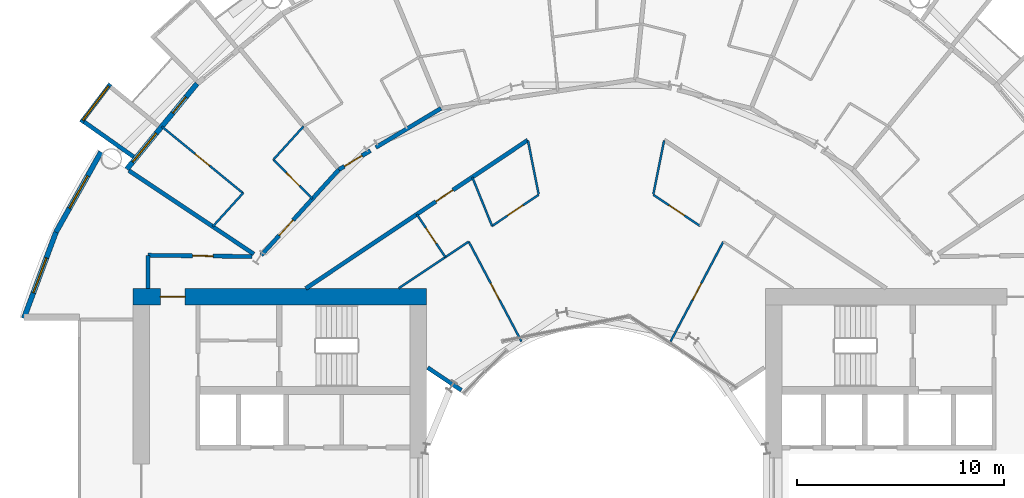
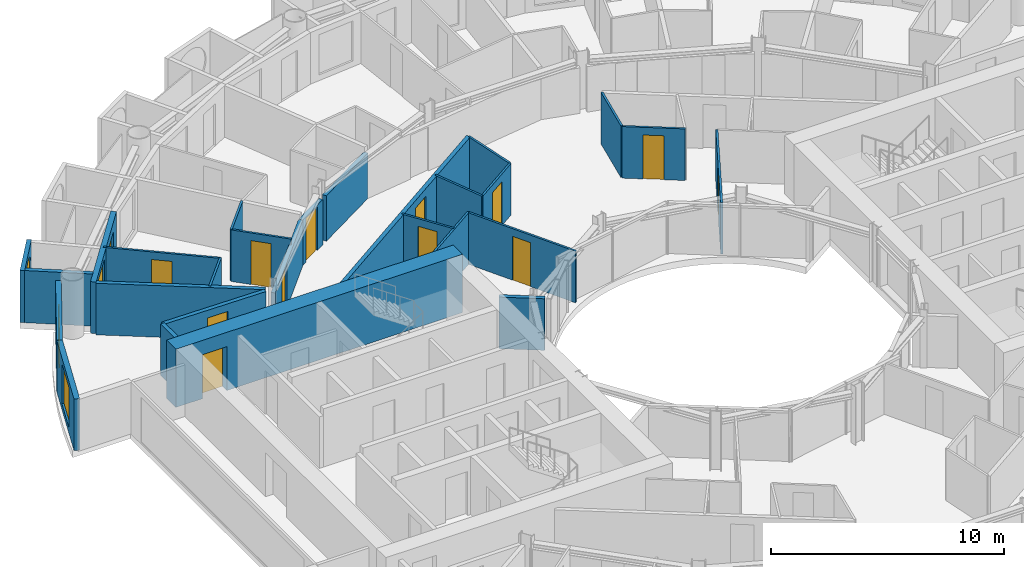
# One storey, part 18 of 26: 27 walls, 13 doors, 4 windows, 17 openings.
"""IFC4 building model written with IfcOpenShell, lengths in metres."""

from ifc_helpers import new_model, si_unit, direction, frame, frame_2d, origin, place, context, subcontext, project, spatial, rectangle, circle, extrude, material, layer, layer_set, type_object, element, fill, save


model = new_model("IFC4")

# Units and contexts
model_context = context("Model", 3, precision=1e-05, world=origin(), true_north=direction((0.0, 1.0)))
body_context = subcontext(model_context, "Body", "Model", "MODEL_VIEW")
ifc_project = project(units=[si_unit("LENGTHUNIT", "METRE"), si_unit("AREAUNIT", "SQUARE_METRE"), si_unit("VOLUMEUNIT", "CUBIC_METRE"), si_unit("PLANEANGLEUNIT", "RADIAN"), si_unit("MASSUNIT", "GRAM", prefix="KILO")], contexts=[model_context])

# Site, building, storey
site_placement = place(None, origin())
site = spatial("IfcSite", under=ifc_project, at=site_placement, CompositionType="ELEMENT")
building_placement = place(site_placement, origin())
building = spatial("IfcBuilding", under=site, at=building_placement, Name="Maasbend Ring Residences", CompositionType="ELEMENT")
storey_placement = place(building_placement, frame((0.0, 0.0, 31.949951171875)))
storey = spatial("IfcBuildingStorey", under=building, at=storey_placement, Name="L08", CompositionType="ELEMENT", Elevation=31.949951171875)

# Wall, opening, door
ifc_material_1 = material(Name="Concrete C70/85", Category="concrete")
ifc_layer_1 = layer(ifc_material_1, 0.800048828125)
ifc_layer_set_1 = layer_set([ifc_layer_1], Name="Concrete C70/85")
wall_type_1 = type_object("IfcWallType", Name="CORE WALL 800 C70/85", PredefinedType="SHEAR", material=ifc_layer_set_1)
wall_1_placement = place(storey_placement, frame((-8.199951171875, 9.0, 0.0), z_axis=(0.0, 0.0, 1.0), x_axis=(-1.0, 0.0, 0.0)))
wall_1 = element("IfcWall", 1, at=wall_1_placement, inside=storey, type_object=wall_type_1, Name="L08 core W wall PS", PredefinedType="SHEAR", context=body_context, shape_type="SweptSolid", body=[
    extrude(rectangle(XDim=14.199951171875, YDim=0.800048828125, at=frame_2d((7.10009765625, 0.0))), origin(), (0.0, 0.0, 1.0), 3.050048828125),
])
opening_1_placement = place(wall_1_placement, frame((11.675048828125, 0.0, 0.0)))
opening_1 = element("IfcOpeningElement", 2, at=opening_1_placement, cuts=wall_1, Name="Opening D-W0814", PredefinedType="OPENING", context=body_context, shape_type="SweptSolid", body=[
    extrude(rectangle(XDim=1.199951171875, YDim=2.300048828125, at=frame_2d((0.60009765625, 1.14990234375))), frame((0.0, 0.41015625, 0.0), z_axis=(0.0, -1.0, 0.0), x_axis=(1.0, 0.0, 0.0)), (0.0, 0.0, 1.0), 0.820068359375),
])
ifc_material_2 = material(Name="Steel, powder coated", Category="steel")
door_type_1 = type_object("IfcDoorType", Name="CORRIDOR DOOR 1200 X 2300 FD30S", OperationType="NOTDEFINED", PredefinedType="DOOR", material=ifc_material_2)
door_1_placement = place(opening_1_placement, origin())
door_1 = element("IfcDoor", 3, at=door_1_placement, inside=storey, type_object=door_type_1, Name="Corridor door L08", OperationType="SINGLE_SWING_LEFT", OverallHeight=2.300048828125, OverallWidth=1.199951171875, PredefinedType="DOOR", context=body_context, shape_type="SweptSolid", body=[
    extrude(rectangle(XDim=1.199951171875, YDim=2.300048828125, at=frame_2d((0.60009765625, 1.14990234375))), frame((0.0, 0.02490234375, 0.0), z_axis=(0.0, -1.0, 0.0), x_axis=(1.0, 0.0, 0.0)), (0.0, 0.0, 1.0), 0.050048828125),
])
fill(opening_1, door_1)

ifc_material_3 = material(Name="Concrete C30/37", Category="concrete")
ifc_layer_2 = layer(ifc_material_3, 0.199951171875)
ifc_layer_set_2 = layer_set([ifc_layer_2], Name="Concrete C30/37")
wall_type_2 = type_object("IfcWallType", Name="CORRIDOR WALL 200 CONCRETE", PredefinedType="PARTITIONING", material=ifc_layer_set_2)
wall_2_placement = place(storey_placement, frame((-21.675048828125, 11.0, 0.0), z_axis=(0.0, 0.0, 1.0), x_axis=(0.99992425795, -0.012307654658, 0.0)))
wall_2 = element("IfcWall", 4, at=wall_2_placement, inside=storey, type_object=wall_type_2, Name="U-L08-w078", PredefinedType="PARTITIONING", context=body_context, shape_type="SweptSolid", body=[
    extrude(rectangle(XDim=5.03857421875, YDim=0.199951171875, at=frame_2d((2.519287109375, 0.0))), origin(), (0.0, 0.0, 1.0), 2.699951171875),
])
opening_2_placement = place(wall_2_placement, frame((2.155029296875, 0.0, 0.0)))
opening_2 = element("IfcOpeningElement", 5, at=opening_2_placement, cuts=wall_2, Name="Opening D-0858", PredefinedType="OPENING", context=body_context, shape_type="SweptSolid", body=[
    extrude(rectangle(XDim=1.0, YDim=2.300048828125, at=frame_2d((0.5, 1.14990234375))), frame((0.0, 0.10986328125, 0.0), z_axis=(0.0, -1.0, 0.0), x_axis=(1.0, 0.0, 0.0)), (0.0, 0.0, 1.0), 0.219970703125),
])
ifc_material_4 = material(Name="Timber, painted", Category="wood")
door_type_2 = type_object("IfcDoorType", Name="ROOM DOOR 1000 X 2300", OperationType="NOTDEFINED", PredefinedType="DOOR", material=ifc_material_4)
door_2_placement = place(opening_2_placement, origin())
door_2 = element("IfcDoor", 6, at=door_2_placement, inside=storey, type_object=door_type_2, Name="D-0858", OperationType="SINGLE_SWING_RIGHT", OverallHeight=2.300048828125, OverallWidth=1.0, PredefinedType="DOOR", context=body_context, shape_type="SweptSolid", body=[
    extrude(rectangle(XDim=1.0, YDim=2.300048828125, at=frame_2d((0.5, 1.14990234375))), frame((0.0, 0.02490234375, 0.0), z_axis=(0.0, -1.0, 0.0), x_axis=(1.0, 0.0, 0.0)), (0.0, 0.0, 1.0), 0.050048828125),
])
fill(opening_2, door_2)

wall_3_placement = place(storey_placement, frame((-14.0390625, 9.39599609375, 0.0), z_axis=(0.0, 0.0, 1.0), x_axis=(0.831348689697, 0.555751163866, 0.0)))
wall_3 = element("IfcWall", 7, at=wall_3_placement, inside=storey, type_object=wall_type_2, Name="U-L08-w084", PredefinedType="PARTITIONING", context=body_context, shape_type="SweptSolid", body=[
    extrude(rectangle(XDim=12.9140625, YDim=0.199951171875, at=frame_2d((6.45703125, 0.0))), origin(), (0.0, 0.0, 1.0), 2.699951171875),
])
opening_3_placement = place(wall_3_placement, frame((7.568115234375, 0.0, 0.0)))
opening_3 = element("IfcOpeningElement", 8, at=opening_3_placement, cuts=wall_3, Name="Opening D-0825", PredefinedType="OPENING", context=body_context, shape_type="SweptSolid", body=[
    extrude(rectangle(XDim=1.0, YDim=2.300048828125, at=frame_2d((0.5, 1.14990234375))), frame((0.0, 0.10986328125, 0.0), z_axis=(0.0, -1.0, 0.0), x_axis=(1.0, 0.0, 0.0)), (0.0, 0.0, 1.0), 0.219970703125),
])
ifc_material_5 = material(Name="Timber, fire-rated, painted", Category="wood")
door_type_3 = type_object("IfcDoorType", Name="FLAT ENTRANCE DOOR 1000 X 2300 FIRE-RATED", OperationType="NOTDEFINED", PredefinedType="DOOR", material=ifc_material_5)
door_3_placement = place(opening_3_placement, origin())
door_3 = element("IfcDoor", 9, at=door_3_placement, inside=storey, type_object=door_type_3, Name="D-0825", OperationType="SINGLE_SWING_RIGHT", OverallHeight=2.300048828125, OverallWidth=1.0, PredefinedType="DOOR", context=body_context, shape_type="SweptSolid", body=[
    extrude(rectangle(XDim=1.0, YDim=2.300048828125, at=frame_2d((0.5, 1.14990234375))), frame((0.0, 0.02490234375, 0.0), z_axis=(0.0, -1.0, 0.0), x_axis=(1.0, 0.0, 0.0)), (0.0, 0.0, 1.0), 0.050048828125),
])
fill(opening_3, door_3)

wall_4_placement = place(storey_placement, frame((-16.193115234375, 11.0029296875, 0.0), z_axis=(0.0, 0.0, 1.0), x_axis=(0.671514934772, 0.740991020444, 0.0)))
wall_4 = element("IfcWall", 10, at=wall_4_placement, inside=storey, type_object=wall_type_2, Name="U-L08-w087", PredefinedType="PARTITIONING", context=body_context, shape_type="SweptSolid", body=[
    extrude(rectangle(XDim=5.597900390625, YDim=0.199951171875, at=frame_2d((2.798828125, 0.0))), origin(), (0.0, 0.0, 1.0), 2.380126953125),
])
opening_4_placement = place(wall_4_placement, frame((1.29296875, 0.0, 0.0)))
opening_4 = element("IfcOpeningElement", 11, at=opening_4_placement, cuts=wall_4, Name="Opening D-0818", PredefinedType="OPENING", context=body_context, shape_type="SweptSolid", body=[
    extrude(rectangle(XDim=1.0, YDim=2.300048828125, at=frame_2d((0.5, 1.14990234375))), frame((0.0, 0.10986328125, 0.0), z_axis=(0.0, -1.0, 0.0), x_axis=(1.0, 0.0, 0.0)), (0.0, 0.0, 1.0), 0.219970703125),
])
door_4_placement = place(opening_4_placement, origin())
door_4 = element("IfcDoor", 12, at=door_4_placement, inside=storey, type_object=door_type_3, Name="D-0818", OperationType="SINGLE_SWING_LEFT", OverallHeight=2.300048828125, OverallWidth=1.0, PredefinedType="DOOR", context=body_context, shape_type="SweptSolid", body=[
    extrude(rectangle(XDim=1.0, YDim=2.300048828125, at=frame_2d((0.5, 1.14990234375))), frame((0.0, 0.02490234375, 0.0), z_axis=(0.0, -1.0, 0.0), x_axis=(1.0, 0.0, 0.0)), (0.0, 0.0, 1.0), 0.050048828125),
])
fill(opening_4, door_4)

wall_5_placement = place(storey_placement, frame((-12.43896484375, 15.14599609375, 0.0), z_axis=(0.0, 0.0, 1.0), x_axis=(0.857323214505, 0.514778501757, 0.0)))
wall_5 = element("IfcWall", 13, at=wall_5_placement, inside=storey, type_object=wall_type_2, Name="U-L08-w088", PredefinedType="PARTITIONING", context=body_context, shape_type="SweptSolid", body=[
    extrude(rectangle(XDim=1.777587890625, YDim=0.199951171875, at=frame_2d((0.888671875, 0.0))), origin(), (0.0, 0.0, 1.0), 2.380126953125),
])
opening_5_placement = place(wall_5_placement, frame((0.306884765625, 0.0, 0.0)))
opening_5 = element("IfcOpeningElement", 14, at=opening_5_placement, cuts=wall_5, Name="Opening D-0815", PredefinedType="OPENING", context=body_context, shape_type="SweptSolid", body=[
    extrude(rectangle(XDim=1.0, YDim=2.300048828125, at=frame_2d((0.5, 1.14990234375))), frame((0.0, 0.10986328125, 0.0), z_axis=(0.0, -1.0, 0.0), x_axis=(1.0, 0.0, 0.0)), (0.0, 0.0, 1.0), 0.219970703125),
])
door_5_placement = place(opening_5_placement, origin())
door_5 = element("IfcDoor", 15, at=door_5_placement, inside=storey, type_object=door_type_3, Name="D-0815", OperationType="SINGLE_SWING_LEFT", OverallHeight=2.300048828125, OverallWidth=1.0, PredefinedType="DOOR", context=body_context, shape_type="SweptSolid", body=[
    extrude(rectangle(XDim=1.0, YDim=2.300048828125, at=frame_2d((0.5, 1.14990234375))), frame((0.0, 0.02490234375, 0.0), z_axis=(0.0, -1.0, 0.0), x_axis=(1.0, 0.0, 0.0)), (0.0, 0.0, 1.0), 0.050048828125),
])
fill(opening_5, door_5)

# Walls
wall_6_placement = place(storey_placement, frame((-10.653076171875, 16.218017578125, 0.0), z_axis=(0.0, 0.0, 1.0), x_axis=(0.857656999296, 0.514222200569, 0.0)))
element("IfcWall", 16, at=wall_6_placement, inside=storey, type_object=wall_type_2, Name="U-L08-w089", PredefinedType="PARTITIONING", context=body_context, shape_type="SweptSolid", body=[
    extrude(rectangle(XDim=3.67529296875, YDim=0.199951171875, at=frame_2d((1.837646484375, 0.0))), origin(), (0.0, 0.0, 1.0), 2.380126953125),
])
wall_7_placement = place(storey_placement, frame((-21.675048828125, 9.39990234375, 0.0), z_axis=(0.0, 0.0, 1.0), x_axis=(0.0, 1.0, 0.0)))
element("IfcWall", 17, at=wall_7_placement, inside=storey, type_object=wall_type_2, Name="U-L08-w098", PredefinedType="PARTITIONING", context=body_context, shape_type="SweptSolid", body=[
    extrude(rectangle(XDim=1.60009765625, YDim=0.199951171875, at=frame_2d((0.800048828125, 0.0))), origin(), (0.0, 0.0, 1.0), 2.699951171875),
])

# Wall, opening, window
ifc_material_6 = material(Name="Pale anodised aluminium panel", Category="aluminium")
ifc_layer_3 = layer(ifc_material_6, 0.199951171875)
ifc_layer_set_3 = layer_set([ifc_layer_3], Name="EW-BOX")
wall_type_3 = type_object("IfcWallType", Name="EW-BOX", PredefinedType="SOLIDWALL", material=ifc_layer_set_3)
wall_8_placement = place(storey_placement, frame((-23.4970703125, 19.2890625, -0.030029296875), z_axis=(0.0, 0.0, 1.0), x_axis=(-0.60418752353, -0.796842165306, 0.0)))
wall_8 = element("IfcWall", 18, at=wall_8_placement, inside=storey, type_object=wall_type_3, Name="Box front N20", PredefinedType="SOLIDWALL", context=body_context, shape_type="SweptSolid", body=[
    extrude(rectangle(XDim=2.3369140625, YDim=0.199951171875, at=frame_2d((1.16845703125, 0.0))), origin(), (0.0, 0.0, 1.0), 2.72998046875),
])
opening_6_placement = place(wall_8_placement, frame((0.128173828125, 0.0, 0.330078125)))
opening_6 = element("IfcOpeningElement", 19, at=opening_6_placement, cuts=wall_8, Name="Opening W-RD", PredefinedType="OPENING", context=body_context, shape_type="SweptSolid", body=[
    extrude(circle(Radius=1.0400390625, at=frame_2d((1.0400390625, 1.0400390625))), frame((0.0, 0.10986328125, 0.0), z_axis=(0.0, -1.0, 0.0), x_axis=(1.0, 0.0, 0.0)), (0.0, 0.0, 1.0), 0.219970703125),
])
ifc_material_7 = material(Name="Aluminium and clear glass", Category="aluminium")
window_type_1 = type_object("IfcWindowType", Name="W-RD", PartitioningType="SINGLE_PANEL", PredefinedType="WINDOW", material=ifc_material_7)
window_1_placement = place(opening_6_placement, origin())
window_1 = element("IfcWindow", 20, at=window_1_placement, inside=storey, type_object=window_type_1, Name="Round window N20", OverallHeight=2.080078125, OverallWidth=2.080078125, PartitioningType="SINGLE_PANEL", PredefinedType="WINDOW", context=body_context, shape_type="SweptSolid", body=[
    extrude(circle(Radius=1.0400390625, at=frame_2d((1.0400390625, 1.0400390625))), frame((0.0, 0.030029296875, 0.0), z_axis=(0.0, -1.0, 0.0), x_axis=(1.0, 0.0, 0.0)), (0.0, 0.0, 1.0), 0.06005859375),
])
fill(opening_6, window_1)

# Wall
wall_9_placement = place(storey_placement, frame((-22.3701171875, 15.764892578125, -0.030029296875), z_axis=(0.0, 0.0, 1.0), x_axis=(-0.817256123454, 0.576274612209, 0.0)))
element("IfcWall", 21, at=wall_9_placement, inside=storey, type_object=wall_type_3, Name="Box side wall N20 right", PredefinedType="SOLIDWALL", context=body_context, shape_type="SweptSolid", body=[
    extrude(rectangle(XDim=2.932861328125, YDim=0.199951171875, at=frame_2d((1.46630859375, 0.0))), origin(), (0.0, 0.0, 1.0), 2.72998046875),
])

# Wall, openings, door, window
ifc_material_8 = material(Name="Aluminium clad insulated panel", Category="aluminium")
ifc_layer_4 = layer(ifc_material_8, 0.25)
ifc_layer_set_4 = layer_set([ifc_layer_4], Name="EW-GL")
wall_type_4 = type_object("IfcWallType", Name="EW-GL", PredefinedType="SOLIDWALL", material=ifc_layer_set_4)
wall_10_placement = place(storey_placement, frame((-19.303955078125, 19.303955078125, 0.0), z_axis=(0.0, 0.0, 1.0), x_axis=(-0.634382322723, -0.773019449054, 0.0)))
wall_10 = element("IfcWall", 22, at=wall_10_placement, inside=storey, type_object=wall_type_4, Name="External wall N10", PredefinedType="SOLIDWALL", context=body_context, shape_type="SweptSolid", body=[
    extrude(rectangle(XDim=5.351806640625, YDim=0.25, at=frame_2d((2.67578125, 0.0))), origin(), (0.0, 0.0, 1.0), 2.699951171875),
])
opening_7_placement = place(wall_10_placement, frame((0.841064453125, 0.0, 0.0)))
opening_7 = element("IfcOpeningElement", 23, at=opening_7_placement, cuts=wall_10, Name="Opening D-LG", PredefinedType="OPENING", context=body_context, shape_type="SweptSolid", body=[
    extrude(rectangle(XDim=1.0, YDim=2.199951171875, at=frame_2d((0.5, 1.10009765625))), frame((0.0, 0.135009765625, 0.0), z_axis=(0.0, -1.0, 0.0), x_axis=(1.0, 0.0, 0.0)), (0.0, 0.0, 1.0), 0.27001953125),
])
opening_8_placement = place(wall_10_placement, frame((3.110595703125, 0.0, 0.300048828125)))
opening_8 = element("IfcOpeningElement", 24, at=opening_8_placement, cuts=wall_10, Name="Opening W-BX", PredefinedType="OPENING", context=body_context, shape_type="SweptSolid", body=[
    extrude(rectangle(XDim=1.800048828125, YDim=2.10009765625, at=frame_2d((0.89990234375, 1.050048828125))), frame((0.0, 0.135009765625, 0.0), z_axis=(0.0, -1.0, 0.0), x_axis=(1.0, 0.0, 0.0)), (0.0, 0.0, 1.0), 0.27001953125),
])
ifc_material_9 = material(Name="Aluminium and clear glass", Category="aluminium")
door_type_4 = type_object("IfcDoorType", Name="D-LG", OperationType="SINGLE_SWING_LEFT", PredefinedType="DOOR", material=ifc_material_9)
door_6_placement = place(opening_7_placement, origin())
door_6 = element("IfcDoor", 25, at=door_6_placement, inside=storey, type_object=door_type_4, Name="Loggia door N19", OperationType="SINGLE_SWING_LEFT", OverallHeight=2.199951171875, OverallWidth=1.0, PredefinedType="DOOR", context=body_context, shape_type="SweptSolid", body=[
    extrude(rectangle(XDim=1.0, YDim=2.199951171875, at=frame_2d((0.5, 1.10009765625))), frame((0.0, 0.02490234375, 0.0), z_axis=(0.0, -1.0, 0.0), x_axis=(1.0, 0.0, 0.0)), (0.0, 0.0, 1.0), 0.050048828125),
])
fill(opening_7, door_6)
ifc_material_10 = material(Name="Aluminium and clear glass", Category="aluminium")
window_type_2 = type_object("IfcWindowType", Name="W-BX", PartitioningType="DOUBLE_PANEL_VERTICAL", PredefinedType="WINDOW", material=ifc_material_10)
window_2_placement = place(opening_8_placement, origin())
window_2 = element("IfcWindow", 26, at=window_2_placement, inside=storey, type_object=window_type_2, Name="Window N20 room to box", OverallHeight=2.10009765625, OverallWidth=1.800048828125, PartitioningType="SINGLE_PANEL", PredefinedType="WINDOW", context=body_context, shape_type="SweptSolid", body=[
    extrude(rectangle(XDim=1.800048828125, YDim=2.10009765625, at=frame_2d((0.89990234375, 1.050048828125))), frame((0.0, 0.030029296875, 0.0), z_axis=(0.0, -1.0, 0.0), x_axis=(1.0, 0.0, 0.0)), (0.0, 0.0, 1.0), 0.06005859375),
])
fill(opening_8, window_2)

# Wall, opening, window
ifc_material_11 = material(Name="Aluminium clad insulated panel", Category="aluminium")
ifc_layer_5 = layer(ifc_material_11, 0.25)
ifc_layer_set_5 = layer_set([ifc_layer_5], Name="EW-HORN")
wall_type_5 = type_object("IfcWallType", Name="EW-HORN", PredefinedType="SOLIDWALL", material=ifc_layer_set_5)
wall_11_placement = place(storey_placement, frame((-23.946044921875, 16.0, 0.0), z_axis=(0.0, 0.0, 1.0), x_axis=(-0.489696356642, -0.871893042919, 0.0)))
wall_11 = element("IfcWall", 27, at=wall_11_placement, inside=storey, type_object=wall_type_5, Name="Horn wall 4.1", PredefinedType="SOLIDWALL", context=body_context, shape_type="SweptSolid", body=[
    extrude(rectangle(XDim=4.45361328125, YDim=0.25, at=frame_2d((2.226806640625, 0.0))), origin(), (0.0, 0.0, 1.0), 2.699951171875),
])
opening_9_placement = place(wall_11_placement, frame((1.32666015625, 0.0, 0.300048828125)))
opening_9 = element("IfcOpeningElement", 28, at=opening_9_placement, cuts=wall_11, Name="Opening W-BX", PredefinedType="OPENING", context=body_context, shape_type="SweptSolid", body=[
    extrude(rectangle(XDim=1.800048828125, YDim=2.10009765625, at=frame_2d((0.89990234375, 1.050048828125))), frame((0.0, 0.135009765625, 0.0), z_axis=(0.0, -1.0, 0.0), x_axis=(1.0, 0.0, 0.0)), (0.0, 0.0, 1.0), 0.27001953125),
])
window_3_placement = place(opening_9_placement, origin())
window_3 = element("IfcWindow", 29, at=window_3_placement, inside=storey, type_object=window_type_2, Name="Horn window 4.1", OverallHeight=2.10009765625, OverallWidth=1.800048828125, PartitioningType="SINGLE_PANEL", PredefinedType="WINDOW", context=body_context, shape_type="SweptSolid", body=[
    extrude(rectangle(XDim=1.800048828125, YDim=2.10009765625, at=frame_2d((0.89990234375, 1.050048828125))), frame((0.0, 0.030029296875, 0.0), z_axis=(0.0, -1.0, 0.0), x_axis=(1.0, 0.0, 0.0)), (0.0, 0.0, 1.0), 0.06005859375),
])
fill(opening_9, window_3)

wall_12_placement = place(storey_placement, frame((-26.126953125, 12.116943359375, 0.0), z_axis=(0.0, 0.0, 1.0), x_axis=(-0.349247811493, -0.937030397675, 0.0)))
wall_12 = element("IfcWall", 30, at=wall_12_placement, inside=storey, type_object=wall_type_5, Name="Horn wall 4.2", PredefinedType="SOLIDWALL", context=body_context, shape_type="SweptSolid", body=[
    extrude(rectangle(XDim=4.4521484375, YDim=0.25, at=frame_2d((2.22607421875, 0.0))), origin(), (0.0, 0.0, 1.0), 2.699951171875),
])
opening_10_placement = place(wall_12_placement, frame((1.32666015625, 0.0, 0.300048828125)))
opening_10 = element("IfcOpeningElement", 31, at=opening_10_placement, cuts=wall_12, Name="Opening W-BX", PredefinedType="OPENING", context=body_context, shape_type="SweptSolid", body=[
    extrude(rectangle(XDim=1.800048828125, YDim=2.10009765625, at=frame_2d((0.89990234375, 1.050048828125))), frame((0.0, 0.135009765625, 0.0), z_axis=(0.0, -1.0, 0.0), x_axis=(1.0, 0.0, 0.0)), (0.0, 0.0, 1.0), 0.27001953125),
])
window_4_placement = place(opening_10_placement, origin())
window_4 = element("IfcWindow", 32, at=window_4_placement, inside=storey, type_object=window_type_2, Name="Horn window 4.2", OverallHeight=2.10009765625, OverallWidth=1.800048828125, PartitioningType="SINGLE_PANEL", PredefinedType="WINDOW", context=body_context, shape_type="SweptSolid", body=[
    extrude(rectangle(XDim=1.800048828125, YDim=2.10009765625, at=frame_2d((0.89990234375, 1.050048828125))), frame((0.0, 0.030029296875, 0.0), z_axis=(0.0, -1.0, 0.0), x_axis=(1.0, 0.0, 0.0)), (0.0, 0.0, 1.0), 0.06005859375),
])
fill(opening_10, window_4)

# Wall, opening, door
ifc_material_12 = material(Name="Gypsum board on steel studs", Category="steel")
ifc_layer_6 = layer(ifc_material_12, 0.10009765625)
ifc_layer_set_6 = layer_set([ifc_layer_6], Name="PARTITION 100 GYPSUM")
wall_type_6 = type_object("IfcWallType", Name="PARTITION 100 GYPSUM", PredefinedType="PARTITIONING", material=ifc_layer_set_6)
wall_13_placement = place(storey_placement, frame((-21.011962890625, 17.23291015625, 0.0), z_axis=(0.0, 0.0, 1.0), x_axis=(0.77326214499, -0.634086472908, 0.0)))
wall_13 = element("IfcWall", 33, at=wall_13_placement, inside=storey, type_object=wall_type_6, Name="U-L08-w027", PredefinedType="PARTITIONING", context=body_context, shape_type="SweptSolid", body=[
    extrude(rectangle(XDim=5.0888671875, YDim=0.10009765625, at=frame_2d((2.54443359375, 0.0))), origin(), (0.0, 0.0, 1.0), 2.699951171875),
])
opening_11_placement = place(wall_13_placement, frame((2.093994140625, 0.0, 0.0)))
opening_11 = element("IfcOpeningElement", 34, at=opening_11_placement, cuts=wall_13, Name="Opening D-0820", PredefinedType="OPENING", context=body_context, shape_type="SweptSolid", body=[
    extrude(rectangle(XDim=0.89990234375, YDim=2.300048828125, at=frame_2d((0.449951171875, 1.14990234375))), frame((0.0, 0.06005859375, 0.0), z_axis=(0.0, -1.0, 0.0), x_axis=(1.0, 0.0, 0.0)), (0.0, 0.0, 1.0), 0.1201171875),
])
ifc_material_13 = material(Name="Timber, painted", Category="wood")
door_type_5 = type_object("IfcDoorType", Name="INTERNAL DOOR 900 X 2300", OperationType="NOTDEFINED", PredefinedType="DOOR", material=ifc_material_13)
door_7_placement = place(opening_11_placement, origin())
door_7 = element("IfcDoor", 35, at=door_7_placement, inside=storey, type_object=door_type_5, Name="D-0820", OperationType="SINGLE_SWING_RIGHT", OverallHeight=2.300048828125, OverallWidth=0.89990234375, PredefinedType="DOOR", context=body_context, shape_type="SweptSolid", body=[
    extrude(rectangle(XDim=0.89990234375, YDim=2.300048828125, at=frame_2d((0.449951171875, 1.14990234375))), frame((0.0, 0.02490234375, 0.0), z_axis=(0.0, -1.0, 0.0), x_axis=(1.0, 0.0, 0.0)), (0.0, 0.0, 1.0), 0.050048828125),
])
fill(opening_11, door_7)

wall_14_placement = place(storey_placement, frame((-15.612060546875, 15.6220703125, 0.0), z_axis=(0.0, 0.0, 1.0), x_axis=(0.706741540154, -0.707471833659, 0.0)))
wall_14 = element("IfcWall", 36, at=wall_14_placement, inside=storey, type_object=wall_type_6, Name="U-L08-w031", PredefinedType="PARTITIONING", context=body_context, shape_type="SweptSolid", body=[
    extrude(rectangle(XDim=2.67431640625, YDim=0.10009765625, at=frame_2d((1.337158203125, 0.0))), origin(), (0.0, 0.0, 1.0), 2.699951171875),
])
opening_12_placement = place(wall_14_placement, frame((0.886962890625, 0.0, 0.0)))
opening_12 = element("IfcOpeningElement", 37, at=opening_12_placement, cuts=wall_14, Name="Opening D-0819", PredefinedType="OPENING", context=body_context, shape_type="SweptSolid", body=[
    extrude(rectangle(XDim=0.89990234375, YDim=2.300048828125, at=frame_2d((0.449951171875, 1.14990234375))), frame((0.0, 0.06005859375, 0.0), z_axis=(0.0, -1.0, 0.0), x_axis=(1.0, 0.0, 0.0)), (0.0, 0.0, 1.0), 0.1201171875),
])
door_8_placement = place(opening_12_placement, origin())
door_8 = element("IfcDoor", 38, at=door_8_placement, inside=storey, type_object=door_type_5, Name="D-0819", OperationType="SINGLE_SWING_RIGHT", OverallHeight=2.300048828125, OverallWidth=0.89990234375, PredefinedType="DOOR", context=body_context, shape_type="SweptSolid", body=[
    extrude(rectangle(XDim=0.89990234375, YDim=2.300048828125, at=frame_2d((0.449951171875, 1.14990234375))), frame((0.0, 0.02490234375, 0.0), z_axis=(0.0, -1.0, 0.0), x_axis=(1.0, 0.0, 0.0)), (0.0, 0.0, 1.0), 0.050048828125),
])
fill(opening_12, door_8)

wall_15_placement = place(storey_placement, frame((-8.674072265625, 12.98193359375, 0.0), z_axis=(0.0, 0.0, 1.0), x_axis=(0.555355163998, -0.831613276602, 0.0)))
wall_15 = element("IfcWall", 39, at=wall_15_placement, inside=storey, type_object=wall_type_6, Name="U-L08-w039", PredefinedType="PARTITIONING", context=body_context, shape_type="SweptSolid", body=[
    extrude(rectangle(XDim=2.493896484375, YDim=0.10009765625, at=frame_2d((1.2470703125, 0.0))), origin(), (0.0, 0.0, 1.0), 2.699951171875),
])
opening_13_placement = place(wall_15_placement, frame((0.797119140625, 0.0, 0.0)))
opening_13 = element("IfcOpeningElement", 40, at=opening_13_placement, cuts=wall_15, Name="Opening D-0827", PredefinedType="OPENING", context=body_context, shape_type="SweptSolid", body=[
    extrude(rectangle(XDim=0.89990234375, YDim=2.300048828125, at=frame_2d((0.449951171875, 1.14990234375))), frame((0.0, 0.06005859375, 0.0), z_axis=(0.0, -1.0, 0.0), x_axis=(1.0, 0.0, 0.0)), (0.0, 0.0, 1.0), 0.1201171875),
])
door_9_placement = place(opening_13_placement, origin())
door_9 = element("IfcDoor", 41, at=door_9_placement, inside=storey, type_object=door_type_5, Name="D-0827", OperationType="SINGLE_SWING_RIGHT", OverallHeight=2.300048828125, OverallWidth=0.89990234375, PredefinedType="DOOR", context=body_context, shape_type="SweptSolid", body=[
    extrude(rectangle(XDim=0.89990234375, YDim=2.300048828125, at=frame_2d((0.449951171875, 1.14990234375))), frame((0.0, 0.02490234375, 0.0), z_axis=(0.0, -1.0, 0.0), x_axis=(1.0, 0.0, 0.0)), (0.0, 0.0, 1.0), 0.050048828125),
])
fill(opening_13, door_9)

wall_16_placement = place(storey_placement, frame((-6.159912109375, 11.6630859375, 0.0), z_axis=(0.0, 0.0, 1.0), x_axis=(0.466976820365, -0.884269556889, 0.0)))
wall_16 = element("IfcWall", 42, at=wall_16_placement, inside=storey, type_object=wall_type_6, Name="U-L08-w042", PredefinedType="PARTITIONING", context=body_context, shape_type="SweptSolid", body=[
    extrude(rectangle(XDim=5.46923828125, YDim=0.10009765625, at=frame_2d((2.734619140625, 0.0))), origin(), (0.0, 0.0, 1.0), 2.699951171875),
])
opening_14_placement = place(wall_16_placement, frame((2.284912109375, 0.0, 0.0)))
opening_14 = element("IfcOpeningElement", 43, at=opening_14_placement, cuts=wall_16, Name="Opening D-0828", PredefinedType="OPENING", context=body_context, shape_type="SweptSolid", body=[
    extrude(rectangle(XDim=0.89990234375, YDim=2.300048828125, at=frame_2d((0.449951171875, 1.14990234375))), frame((0.0, 0.06005859375, 0.0), z_axis=(0.0, -1.0, 0.0), x_axis=(1.0, 0.0, 0.0)), (0.0, 0.0, 1.0), 0.1201171875),
])
door_10_placement = place(opening_14_placement, origin())
door_10 = element("IfcDoor", 44, at=door_10_placement, inside=storey, type_object=door_type_5, Name="D-0828", OperationType="SINGLE_SWING_RIGHT", OverallHeight=2.300048828125, OverallWidth=0.89990234375, PredefinedType="DOOR", context=body_context, shape_type="SweptSolid", body=[
    extrude(rectangle(XDim=0.89990234375, YDim=2.300048828125, at=frame_2d((0.449951171875, 1.14990234375))), frame((0.0, 0.02490234375, 0.0), z_axis=(0.0, -1.0, 0.0), x_axis=(1.0, 0.0, 0.0)), (0.0, 0.0, 1.0), 0.050048828125),
])
fill(opening_14, door_10)

# Wall
wall_17_placement = place(storey_placement, frame((-5.986083984375, 14.779052734375, 0.0), z_axis=(0.0, 0.0, 1.0), x_axis=(0.375649498413, -0.926761811008, 0.0)))
element("IfcWall", 45, at=wall_17_placement, inside=storey, type_object=wall_type_6, Name="U-L08-w045", PredefinedType="PARTITIONING", context=body_context, shape_type="SweptSolid", body=[
    extrude(rectangle(XDim=2.547607421875, YDim=0.10009765625, at=frame_2d((1.27392578125, 0.0))), origin(), (0.0, 0.0, 1.0), 2.699951171875),
])

# Wall, opening, door
wall_18_placement = place(storey_placement, frame((3.60595703125, 6.826904296875, 0.0), z_axis=(0.0, 0.0, 1.0), x_axis=(0.466976820365, 0.884269556889, 0.0)))
wall_18 = element("IfcWall", 46, at=wall_18_placement, inside=storey, type_object=wall_type_6, Name="U-L08-w053", PredefinedType="PARTITIONING", context=body_context, shape_type="SweptSolid", body=[
    extrude(rectangle(XDim=5.46923828125, YDim=0.10009765625, at=frame_2d((2.734619140625, 0.0))), origin(), (0.0, 0.0, 1.0), 2.699951171875),
])
opening_15_placement = place(wall_18_placement, frame((2.283935546875, 0.0, 0.0)))
opening_15 = element("IfcOpeningElement", 47, at=opening_15_placement, cuts=wall_18, Name="Opening D-0824", PredefinedType="OPENING", context=body_context, shape_type="SweptSolid", body=[
    extrude(rectangle(XDim=0.89990234375, YDim=2.300048828125, at=frame_2d((0.449951171875, 1.14990234375))), frame((0.0, 0.06005859375, 0.0), z_axis=(0.0, -1.0, 0.0), x_axis=(1.0, 0.0, 0.0)), (0.0, 0.0, 1.0), 0.1201171875),
])
door_11_placement = place(opening_15_placement, origin())
door_11 = element("IfcDoor", 48, at=door_11_placement, inside=storey, type_object=door_type_5, Name="D-0824", OperationType="SINGLE_SWING_LEFT", OverallHeight=2.300048828125, OverallWidth=0.89990234375, PredefinedType="DOOR", context=body_context, shape_type="SweptSolid", body=[
    extrude(rectangle(XDim=0.89990234375, YDim=2.300048828125, at=frame_2d((0.449951171875, 1.14990234375))), frame((0.0, 0.02490234375, 0.0), z_axis=(0.0, -1.0, 0.0), x_axis=(1.0, 0.0, 0.0)), (0.0, 0.0, 1.0), 0.050048828125),
])
fill(opening_15, door_11)

# Wall
wall_19_placement = place(storey_placement, frame((-9.5458984375, 9.39990234375, 0.0), z_axis=(0.0, 0.0, 1.0), x_axis=(0.831459707426, 0.555585056429, 0.0)))
element("IfcWall", 49, at=wall_19_placement, inside=storey, type_object=wall_type_6, Name="U-L08-w080", PredefinedType="PARTITIONING", context=body_context, shape_type="SweptSolid", body=[
    extrude(rectangle(XDim=4.073486328125, YDim=0.10009765625, at=frame_2d((2.03662109375, 0.0))), origin(), (0.0, 0.0, 1.0), 2.699951171875),
])

# Wall, opening, door
wall_20_placement = place(storey_placement, frame((-5.030029296875, 12.4169921875, 0.0), z_axis=(0.0, 0.0, 1.0), x_axis=(0.831538390496, 0.555467285384, 0.0)))
wall_20 = element("IfcWall", 50, at=wall_20_placement, inside=storey, type_object=wall_type_6, Name="U-L08-w081", PredefinedType="PARTITIONING", context=body_context, shape_type="SweptSolid", body=[
    extrude(rectangle(XDim=2.716796875, YDim=0.10009765625, at=frame_2d((1.3583984375, 0.0))), origin(), (0.0, 0.0, 1.0), 2.699951171875),
])
opening_16_placement = place(wall_20_placement, frame((0.909912109375, 0.0, 0.0)))
opening_16 = element("IfcOpeningElement", 51, at=opening_16_placement, cuts=wall_20, Name="Opening D-0826", PredefinedType="OPENING", context=body_context, shape_type="SweptSolid", body=[
    extrude(rectangle(XDim=0.89990234375, YDim=2.300048828125, at=frame_2d((0.449951171875, 1.14990234375))), frame((0.0, 0.06005859375, 0.0), z_axis=(0.0, -1.0, 0.0), x_axis=(1.0, 0.0, 0.0)), (0.0, 0.0, 1.0), 0.1201171875),
])
door_12_placement = place(opening_16_placement, origin())
door_12 = element("IfcDoor", 52, at=door_12_placement, inside=storey, type_object=door_type_5, Name="D-0826", OperationType="SINGLE_SWING_RIGHT", OverallHeight=2.300048828125, OverallWidth=0.89990234375, PredefinedType="DOOR", context=body_context, shape_type="SweptSolid", body=[
    extrude(rectangle(XDim=0.89990234375, YDim=2.300048828125, at=frame_2d((0.449951171875, 1.14990234375))), frame((0.0, 0.02490234375, 0.0), z_axis=(0.0, -1.0, 0.0), x_axis=(1.0, 0.0, 0.0)), (0.0, 0.0, 1.0), 0.050048828125),
])
fill(opening_16, door_12)

wall_21_placement = place(storey_placement, frame((2.77099609375, 13.926025390625, 0.0), z_axis=(0.0, 0.0, 1.0), x_axis=(0.831538390496, -0.555467285384, 0.0)))
wall_21 = element("IfcWall", 53, at=wall_21_placement, inside=storey, type_object=wall_type_6, Name="U-L08-w082", PredefinedType="PARTITIONING", context=body_context, shape_type="SweptSolid", body=[
    extrude(rectangle(XDim=2.716796875, YDim=0.10009765625, at=frame_2d((1.3583984375, 0.0))), origin(), (0.0, 0.0, 1.0), 2.699951171875),
])
opening_17_placement = place(wall_21_placement, frame((0.906982421875, 0.0, 0.0)))
opening_17 = element("IfcOpeningElement", 54, at=opening_17_placement, cuts=wall_21, Name="Opening D-0822", PredefinedType="OPENING", context=body_context, shape_type="SweptSolid", body=[
    extrude(rectangle(XDim=0.89990234375, YDim=2.300048828125, at=frame_2d((0.449951171875, 1.14990234375))), frame((0.0, 0.06005859375, 0.0), z_axis=(0.0, -1.0, 0.0), x_axis=(1.0, 0.0, 0.0)), (0.0, 0.0, 1.0), 0.1201171875),
])
door_13_placement = place(opening_17_placement, origin())
door_13 = element("IfcDoor", 55, at=door_13_placement, inside=storey, type_object=door_type_5, Name="D-0822", OperationType="SINGLE_SWING_LEFT", OverallHeight=2.300048828125, OverallWidth=0.89990234375, PredefinedType="DOOR", context=body_context, shape_type="SweptSolid", body=[
    extrude(rectangle(XDim=0.89990234375, YDim=2.300048828125, at=frame_2d((0.449951171875, 1.14990234375))), frame((0.0, 0.02490234375, 0.0), z_axis=(0.0, -1.0, 0.0), x_axis=(1.0, 0.0, 0.0)), (0.0, 0.0, 1.0), 0.050048828125),
])
fill(opening_17, door_13)

# Walls
for number, where, z_axis, x_axis, name in (
    (56, (-18.5380859375, 12.39404296875, 0.0), (0.0, 0.0, 1.0), (0.67169789574, 0.740825172937, 0.0), "U-L08-w099"),
    (57, (-15.613037109375, 15.62109375, 0.0), (0.0, 0.0, 1.0), (0.67169789574, 0.740825172937, 0.0), "U-L08-w100"),
):
    element("IfcWall", number, at=place(storey_placement, frame(where, z_axis=z_axis, x_axis=x_axis)), inside=storey, type_object=wall_type_6, Name=name, PredefinedType="PARTITIONING", context=body_context, shape_type="SweptSolid", body=[
        extrude(rectangle(XDim=2.1826171875, YDim=0.10009765625, at=frame_2d((1.09130859375, 0.0))), origin(), (0.0, 0.0, 1.0), 2.699951171875),
    ])
for number, where, z_axis, x_axis, name in (
    (58, (2.77392578125, 13.947998046875, 0.0), (0.0, 0.0, 1.0), (0.195338620417, 0.980735858105, 0.0), "U-L08-w109"),
    (59, (-3.29296875, 16.553955078125, 0.0), (0.0, 0.0, 1.0), (0.195338620417, -0.980735858105, 0.0), "U-L08-w110"),
):
    element("IfcWall", number, at=place(storey_placement, frame(where, z_axis=z_axis, x_axis=x_axis)), inside=storey, type_object=wall_type_6, Name=name, PredefinedType="PARTITIONING", context=body_context, shape_type="SweptSolid", body=[
        extrude(rectangle(XDim=2.6572265625, YDim=0.10009765625, at=frame_2d((1.32861328125, 0.0))), origin(), (0.0, 0.0, 1.0), 2.699951171875),
    ])
ifc_material_14 = material(Name="Concrete C30/37", Category="concrete")
ifc_layer_7 = layer(ifc_material_14, 0.199951171875)
ifc_layer_set_7 = layer_set([ifc_layer_7], Name="Concrete C30/37")
wall_type_7 = type_object("IfcWallType", Name="PARTY WALL 200 CONCRETE", PredefinedType="PARTITIONING", material=ifc_layer_set_7)
wall_22_placement = place(storey_placement, frame((-22.594970703125, 15.096923828125, 0.0), z_axis=(0.0, 0.0, 1.0), x_axis=(0.831465568067, -0.555576285599, 0.0)))
element("IfcWall", 60, at=wall_22_placement, inside=storey, type_object=wall_type_7, Name="U-L08-w026", PredefinedType="PARTITIONING", context=body_context, shape_type="SweptSolid", body=[
    extrude(rectangle(XDim=7.264404296875, YDim=0.199951171875, at=frame_2d((3.63232421875, 0.0))), origin(), (0.0, 0.0, 1.0), 2.699951171875),
])
wall_23_placement = place(storey_placement, frame((-6.512939453125, 4.471923828125, 0.0), z_axis=(0.0, 0.0, 1.0), x_axis=(-0.831417956244, 0.555647533996, 0.0)))
element("IfcWall", 61, at=wall_23_placement, inside=storey, type_object=wall_type_7, Name="U-L08-w076", PredefinedType="PARTITIONING", context=body_context, shape_type="SweptSolid", body=[
    extrude(rectangle(XDim=1.9619140625, YDim=0.199951171875, at=frame_2d((0.98095703125, 0.0))), origin(), (0.0, 0.0, 1.0), 2.699951171875),
])

save(model, "model.ifc")
